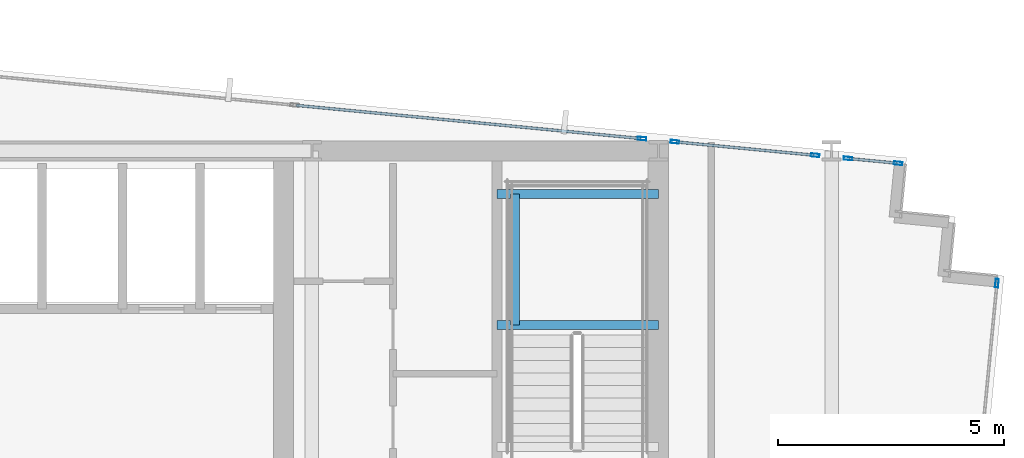
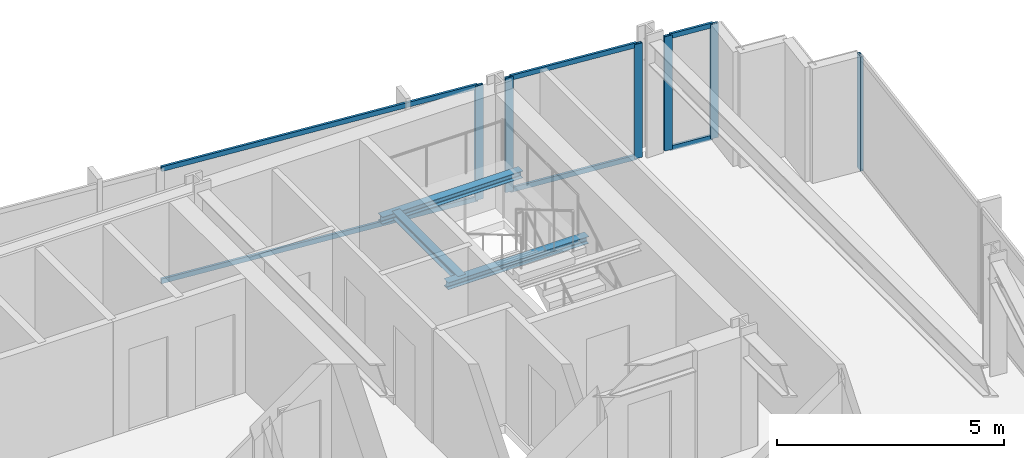
# One storey, part 27 of 37: 12 members, 3 beams, 4 elements without a shape of their own.
"""IFC4 building model written with IfcOpenShell, lengths in metres."""

import ifcopenshell
import ifcopenshell.guid

model = None  # the IFC model being written
_history = None  # IfcOwnerHistory: only IFC2X3 demands one
_inside = {}  # id of a spatial element -> (the spatial element, [elements in it])
_under = {}  # id of a project, library or spatial element -> (it, [spatial elements below it])
_declared = {}  # id of a project -> (the project, [libraries it declares])
_typed = {}  # id of a type object -> (the type object, [elements of that type])
_made_of = {}  # id of a material, layer set ... -> (it, [elements and type objects made of it])


def new_model(schema):
    """Start an empty IFC model of exactly this schema.

    Asked for "IFC4X3", IfcOpenShell would pick the latest addendum, in which some entities
    have other attributes; the version numbers below select the first issue.
    IFC2X3 requires an IfcOwnerHistory on every rooted entity: one is made here for all.
    """
    global model, _history
    if schema == "IFC4X3":
        model = ifcopenshell.file(schema_version=(4, 3, 0, 0))
    else:
        model = ifcopenshell.file(schema=schema)
    _inside.clear()
    _under.clear()
    _declared.clear()
    _typed.clear()
    _made_of.clear()
    _history = None
    if model.schema == "IFC2X3":
        org = make("IfcOrganization", Name="unknown")
        user = make(
            "IfcPersonAndOrganization",
            ThePerson=make("IfcPerson", FamilyName="unknown"),
            TheOrganization=org,
        )
        app = make(
            "IfcApplication",
            ApplicationDeveloper=org,
            Version="unknown",
            ApplicationFullName="unknown",
            ApplicationIdentifier="unknown",
        )
        _history = make(
            "IfcOwnerHistory",
            OwningUser=user,
            OwningApplication=app,
            ChangeAction="ADDED",
            CreationDate=0,
        )
    return model


def make(cls, **values):
    """One entity of the class cls with the attributes given. An attribute that is None is left unset."""
    return model.create_entity(
        cls, **{name: value for name, value in values.items() if value is not None}
    )


def rooted(cls, **values):
    """An entity with a GlobalId (a new one), such as an element, a storey or a relation."""
    return make(cls, GlobalId=ifcopenshell.guid.new(), OwnerHistory=_history, **values)


def si_unit(unit_type, name, prefix=None):
    """IfcSIUnit, for example si_unit("LENGTHUNIT", "METRE", prefix="MILLI")."""
    return make("IfcSIUnit", UnitType=unit_type, Prefix=prefix, Name=name)


def assignment(units):
    """IfcUnitAssignment: the units of a project."""
    return None if units is None else make("IfcUnitAssignment", Units=units)


def point(xyz):
    """IfcCartesianPoint."""
    return None if xyz is None else make("IfcCartesianPoint", Coordinates=xyz)


def direction(xyz):
    """IfcDirection."""
    return None if xyz is None else make("IfcDirection", DirectionRatios=xyz)


def frame(location, z_axis=None, x_axis=None):
    """IfcAxis2Placement3D, a coordinate frame: its origin and axes. An axis left out is left unset."""
    return make(
        "IfcAxis2Placement3D",
        Location=point(location),
        Axis=direction(z_axis),
        RefDirection=direction(x_axis),
    )


def frame_2d(location, x_axis=None):
    """IfcAxis2Placement2D, a coordinate frame in the plane: its origin and x axis."""
    return make(
        "IfcAxis2Placement2D", Location=point(location), RefDirection=direction(x_axis)
    )


def origin():
    """The frame at (0, 0, 0) with its axes left unset."""
    return frame((0.0, 0.0, 0.0))


def origin_2d():
    """The frame at (0, 0) in the plane with its x axis left unset."""
    return frame_2d((0.0, 0.0))


def place(relative_to, where):
    """IfcLocalPlacement: puts the frame where relative to a parent placement (None: the world)."""
    return make(
        "IfcLocalPlacement", PlacementRelTo=relative_to, RelativePlacement=where
    )


def context(
    kind, dimensions, precision=None, world=None, true_north=None, identifier=None
):
    """IfcGeometricRepresentationContext, for example the 3D "Model" context."""
    return make(
        "IfcGeometricRepresentationContext",
        ContextIdentifier=identifier,
        ContextType=kind,
        CoordinateSpaceDimension=dimensions,
        Precision=precision,
        WorldCoordinateSystem=world,
        TrueNorth=true_north,
    )


def subcontext(parent, identifier, kind, view, scale=None):
    """IfcGeometricRepresentationSubContext, for example "Body" below "Model"."""
    return make(
        "IfcGeometricRepresentationSubContext",
        ContextIdentifier=identifier,
        ContextType=kind,
        ParentContext=parent,
        TargetScale=scale,
        TargetView=view,
    )


def project(units=None, contexts=None):
    """IfcProject with its units and contexts."""
    return rooted(
        "IfcProject",
        Name="project",
        RepresentationContexts=contexts,
        UnitsInContext=assignment(units),
    )


def spatial(cls, under=None, at=None, **own):
    """A site, building, storey or space (cls), placed at a placement, below another one or the project."""
    s = rooted(cls, ObjectPlacement=at, **own)
    if under is not None:
        _under.setdefault(under.id(), (under, []))[1].append(s)
    return s


def profile(cls, at=None, kind="AREA", **sizes):
    """A parametric profile (cls). Its sizes go by their IFC names, for example OverallWidth=200.0."""
    return make(cls, ProfileType=kind, Position=at, **sizes)


def hollow_rectangle(**sizes):
    """IfcRectangleHollowProfileDef."""
    return profile("IfcRectangleHollowProfileDef", **sizes)


def i_section(**sizes):
    """IfcIShapeProfileDef."""
    return profile("IfcIShapeProfileDef", **sizes)


def extrude(swept, where, along, depth):
    """IfcExtrudedAreaSolid: the profile swept, set in the frame where, extruded along a direction by depth."""
    return make(
        "IfcExtrudedAreaSolid",
        SweptArea=swept,
        Position=where,
        ExtrudedDirection=direction(along),
        Depth=depth,
    )


def shape(context_of_items, identifier, shape_type, items):
    """IfcShapeRepresentation: the items that make up one representation, for example the "Body"."""
    return make(
        "IfcShapeRepresentation",
        ContextOfItems=context_of_items,
        RepresentationIdentifier=identifier,
        RepresentationType=shape_type,
        Items=items,
    )


def material(Name=None, Category=None):
    """IfcMaterial."""
    return make("IfcMaterial", Name=Name, Category=Category)


def material_profile(
    of_material, cross_section, Name=None, Category=None, Priority=None
):
    """IfcMaterialProfile: a cross section and its material."""
    return make(
        "IfcMaterialProfile",
        Name=Name,
        Material=of_material,
        Profile=cross_section,
        Priority=Priority,
        Category=Category,
    )


def profile_set(profiles, Name=None, composite=None):
    """IfcMaterialProfileSet."""
    return make(
        "IfcMaterialProfileSet",
        Name=Name,
        MaterialProfiles=profiles,
        CompositeProfile=composite,
    )


def made_of(thing, what):
    """Note that an element or type object is made of a material, layer set ...; save() writes the relation."""
    if what is not None:
        _made_of.setdefault(what.id(), (what, []))[1].append(thing)
    return thing


def type_object(cls, material=None, **own):
    """A type object (cls), such as IfcWallType, which elements share."""
    return made_of(rooted(cls, **own), material)


def element(
    cls,
    number,
    at=None,
    inside=None,
    cuts=None,
    type_object=None,
    material=None,
    context=None,
    identifier="Body",
    shape_type=None,
    held_by="IfcProductDefinitionShape",
    body=None,
    shapes=None,
    **own,
):
    """One element of the class cls, such as IfcWall. Its Tag is "e" and its number.

    at: its placement. inside: the storey or other place that contains it. cuts: it is an
    opening in that element (IfcRelVoidsElement). A single representation is given by context,
    identifier, shape_type and body (its items); several are given by shapes. held_by: the class
    of the entity that holds the representations. save() writes the other relations.
    """
    e = rooted(cls, Tag="e%d" % number, ObjectPlacement=at, **own)
    if body is not None:
        shapes = [shape(context, identifier, shape_type, body)]
    if shapes is not None:
        e.Representation = make(held_by, Representations=shapes)
    if inside is not None:
        _inside.setdefault(inside.id(), (inside, []))[1].append(e)
    if cuts is not None:
        rooted(
            "IfcRelVoidsElement", RelatingBuildingElement=cuts, RelatedOpeningElement=e
        )
    if type_object is not None:
        _typed.setdefault(type_object.id(), (type_object, []))[1].append(e)
    return made_of(e, material)


def aggregate(whole, parts):
    """IfcRelAggregates: a whole, such as a stair, and the parts it consists of."""
    return rooted("IfcRelAggregates", RelatingObject=whole, RelatedObjects=parts)


def save(model, path):
    """Write the relations noted so far, then the file.

    IfcRelAggregates (storeys below a building ...), IfcRelContainedInSpatialStructure (elements
    in a storey), IfcRelDefinesByType, IfcRelAssociatesMaterial and IfcRelDeclares: one each for
    every whole, place, type object, material and project.
    """
    for whole, parts in _under.values():
        aggregate(whole, parts)
    for where, things in _inside.values():
        rooted(
            "IfcRelContainedInSpatialStructure",
            RelatedElements=things,
            RelatingStructure=where,
        )
    for kind, things in _typed.values():
        rooted("IfcRelDefinesByType", RelatedObjects=things, RelatingType=kind)
    for what, things in _made_of.values():
        rooted("IfcRelAssociatesMaterial", RelatedObjects=things, RelatingMaterial=what)
    for by, libraries in _declared.values():
        rooted("IfcRelDeclares", RelatingContext=by, RelatedDefinitions=libraries)
    model.write(path)


model = new_model("IFC4")

# Units and contexts
model_context = context("Model", 3, precision=1e-05, world=origin(), true_north=direction((0.0, 1.0)))
body_context = subcontext(model_context, "Body", "Model", "MODEL_VIEW")
ifc_project = project(units=[si_unit("LENGTHUNIT", "METRE"), si_unit("AREAUNIT", "SQUARE_METRE"), si_unit("VOLUMEUNIT", "CUBIC_METRE"), si_unit("PLANEANGLEUNIT", "RADIAN"), si_unit("MASSUNIT", "GRAM", prefix="KILO")], contexts=[model_context])

# Site, building, storey
site_placement = place(None, origin())
site = spatial("IfcSite", under=ifc_project, at=site_placement, CompositionType="ELEMENT")
building_placement = place(site_placement, origin())
building = spatial("IfcBuilding", under=site, at=building_placement, Name="Yelkora Congress Tower", CompositionType="ELEMENT")
storey_placement = place(building_placement, frame((0.0, 0.0, 175.39990234375)))
storey = spatial("IfcBuildingStorey", under=building, at=storey_placement, Name="L48", CompositionType="ELEMENT", Elevation=175.39990234375)

# Beams
ifc_material_1 = material(Name="Steel S355J2", Category="steel")
ifc_material_profile_1 = material_profile(ifc_material_1, i_section(OverallWidth=0.199951171875, OverallDepth=0.18994140625, WebThickness=0.006591796875, FlangeThickness=0.010009765625, FilletRadius=0.01806640625, at=origin_2d()), Name="HEA 200")
ifc_profile_set_1 = profile_set([ifc_material_profile_1], Name="Steel S355J2")
beam_type = type_object("IfcBeamType", Name="BM-LAND-HEA200", PredefinedType="BEAM", material=ifc_profile_set_1)
for number, where, z_axis, x_axis, name in (
    (1, (50.179931640625, 42.340087890625, 1.334716796875), (1.0, 0.0, 0.0), (0.0, 1.0, 0.0), "ST-02 L48 Landing Header Beam 1S"),
    (2, (50.179931640625, 45.25, 1.334716796875), (1.0, 0.0, 0.0), (0.0, 1.0, 0.0), "ST-02 L48 Landing Header Beam 1N"),
):
    element("IfcBeam", number, at=place(storey_placement, frame(where, z_axis=z_axis, x_axis=x_axis)), inside=storey, type_object=beam_type, Name=name, PredefinedType="BEAM", context=body_context, shape_type="SweptSolid", body=[
        extrude(i_section(OverallWidth=0.199951171875, OverallDepth=0.18994140625, WebThickness=0.006591796875, FlangeThickness=0.010009765625, FilletRadius=0.01806640625, at=origin_2d()), origin(), (0.0, 0.0, 1.0), 3.580078125),
    ])
beam_placement = place(storey_placement, frame((50.580078125, 42.340087890625, 1.334716796875), z_axis=(0.0, 1.0, 0.0), x_axis=(-1.0, 0.0, 0.0)))
element("IfcBeam", 3, at=beam_placement, inside=storey, type_object=beam_type, Name="ST-02 L48 Landing Trimmer Beam 1M", PredefinedType="BEAM", context=body_context, shape_type="SweptSolid", body=[
    extrude(i_section(OverallWidth=0.199951171875, OverallDepth=0.18994140625, WebThickness=0.006591796875, FlangeThickness=0.010009765625, FilletRadius=0.01806640625, at=origin_2d()), origin(), (0.0, 0.0, 1.0), 2.909912109375),
])

# Curtain wall, member
ifc_material_2 = material(Name="Anodised aluminium and insulated glass", Category="aluminium")
curtain_wall_type = type_object("IfcCurtainWallType", Name="CW-SYS-B3", PredefinedType="NOTDEFINED", material=ifc_material_2)
curtain_wall_1_placement = place(storey_placement, origin())
curtain_wall_1 = element("IfcCurtainWall", 4, at=curtain_wall_1_placement, inside=storey, type_object=curtain_wall_type, Name="L48 Unitised Curtain Wall 10 (1)", PredefinedType="NOTDEFINED")
ifc_material_3 = material(Name="Anodised aluminium 6063-T6", Category="aluminium")
ifc_material_profile_2 = material_profile(ifc_material_3, hollow_rectangle(XDim=0.070068359375, YDim=0.18994140625, WallThickness=0.00390625, at=origin_2d()), Name="ALU 70x190x4")
ifc_profile_set_2 = profile_set([ifc_material_profile_2], Name="Anodised aluminium 6063-T6")
member_type_1 = type_object("IfcMemberType", Name="MEM-ML-B3", PredefinedType="MULLION", material=ifc_profile_set_2)
member_1_placement = place(storey_placement, frame((53.396240234375, 46.47314453125, 0.0), z_axis=(0.0, 0.0, 1.0), x_axis=(0.095844761168, 0.995396293823, 0.0)))
member_1 = element("IfcMember", 5, at=member_1_placement, type_object=member_type_1, Name="CW-B3 mullion 7", PredefinedType="MULLION", context=body_context, shape_type="SweptSolid", body=[
    extrude(hollow_rectangle(XDim=0.070068359375, YDim=0.18994140625, WallThickness=0.00390625, at=origin_2d()), origin(), (0.0, 0.0, 1.0), 3.080078125),
])

# Curtain wall, members
curtain_wall_2_placement = place(storey_placement, origin())
curtain_wall_2 = element("IfcCurtainWall", 6, at=curtain_wall_2_placement, inside=storey, type_object=curtain_wall_type, Name="L48 Unitised Curtain Wall 10 (2)", PredefinedType="NOTDEFINED")
member_2_placement = place(storey_placement, frame((54.123779296875, 46.40283203125, 0.0), z_axis=(0.0, 0.0, 1.0), x_axis=(0.095848309157, 0.995395952188, 0.0)))
member_2 = element("IfcMember", 7, at=member_2_placement, type_object=member_type_1, Name="CW-B3 mullion 1", PredefinedType="MULLION", context=body_context, shape_type="SweptSolid", body=[
    extrude(hollow_rectangle(XDim=0.070068359375, YDim=0.18994140625, WallThickness=0.00390625, at=origin_2d()), origin(), (0.0, 0.0, 1.0), 3.080078125),
])
member_3_placement = place(storey_placement, frame((57.236083984375, 46.103271484375, 0.0), z_axis=(0.0, 0.0, 1.0), x_axis=(0.095848309157, 0.995395952188, 0.0)))
member_3 = element("IfcMember", 8, at=member_3_placement, type_object=member_type_1, Name="CW-B3 mullion 2", PredefinedType="MULLION", context=body_context, shape_type="SweptSolid", body=[
    extrude(hollow_rectangle(XDim=0.070068359375, YDim=0.18994140625, WallThickness=0.00390625, at=origin_2d()), origin(), (0.0, 0.0, 1.0), 3.080078125),
])

curtain_wall_3_placement = place(storey_placement, origin())
curtain_wall_3 = element("IfcCurtainWall", 9, at=curtain_wall_3_placement, inside=storey, type_object=curtain_wall_type, Name="L48 Unitised Curtain Wall 10 (3)", PredefinedType="NOTDEFINED")
member_4_placement = place(storey_placement, frame((57.9638671875, 46.033203125, 0.0), z_axis=(0.0, 0.0, 1.0), x_axis=(0.095852281686, 0.995395569658, 0.0)))
member_4 = element("IfcMember", 10, at=member_4_placement, type_object=member_type_1, Name="CW-B3 mullion 1", PredefinedType="MULLION", context=body_context, shape_type="SweptSolid", body=[
    extrude(hollow_rectangle(XDim=0.070068359375, YDim=0.18994140625, WallThickness=0.00390625, at=origin_2d()), origin(), (0.0, 0.0, 1.0), 3.080078125),
])
member_5_placement = place(storey_placement, frame((59.073974609375, 45.92626953125, 0.0), z_axis=(0.0, 0.0, 1.0), x_axis=(0.095852281686, 0.995395569658, 0.0)))
member_5 = element("IfcMember", 11, at=member_5_placement, type_object=member_type_1, Name="CW-B3 mullion 2", PredefinedType="MULLION", context=body_context, shape_type="SweptSolid", body=[
    extrude(hollow_rectangle(XDim=0.070068359375, YDim=0.18994140625, WallThickness=0.00390625, at=origin_2d()), origin(), (0.0, 0.0, 1.0), 3.080078125),
])

# Curtain wall, member
curtain_wall_4_placement = place(storey_placement, origin())
curtain_wall_4 = element("IfcCurtainWall", 12, at=curtain_wall_4_placement, inside=storey, type_object=curtain_wall_type, Name="L48 Unitised Curtain Wall 15", PredefinedType="NOTDEFINED")
member_6_placement = place(storey_placement, frame((61.26416015625, 43.26904296875, 0.0), z_axis=(0.0, 0.0, 1.0), x_axis=(0.995396565076, -0.095841944023, 0.0)))
member_6 = element("IfcMember", 13, at=member_6_placement, type_object=member_type_1, Name="CW-B3 mullion 1", PredefinedType="MULLION", context=body_context, shape_type="SweptSolid", body=[
    extrude(hollow_rectangle(XDim=0.070068359375, YDim=0.18994140625, WallThickness=0.00390625, at=origin_2d()), origin(), (0.0, 0.0, 1.0), 3.080078125),
])
aggregate(curtain_wall_4, [member_6])

# Member
ifc_material_profile_3 = material_profile(ifc_material_3, hollow_rectangle(XDim=0.06005859375, YDim=0.1298828125, WallThickness=0.00390625, at=origin_2d()), Name="ALU 60x130x4")
ifc_profile_set_3 = profile_set([ifc_material_profile_3], Name="Anodised aluminium 6063-T6")
member_type_2 = type_object("IfcMemberType", Name="MEM-TR-B3", PredefinedType="USERDEFINED", material=ifc_profile_set_3)
member_7_placement = place(storey_placement, frame((45.732177734375, 47.2109375, 0.030029296875), z_axis=(0.99539600529, -0.095847757686, 0.0), x_axis=(0.095847757686, 0.99539600529, 0.0)))
member_7 = element("IfcMember", 14, at=member_7_placement, type_object=member_type_2, Name="CW-B3 transom 6.1", ObjectType="TRANSOM", PredefinedType="USERDEFINED", context=body_context, shape_type="SweptSolid", body=[
    extrude(hollow_rectangle(XDim=0.06005859375, YDim=0.1298828125, WallThickness=0.00390625, at=origin_2d()), origin(), (0.0, 0.0, 1.0), 7.66455078125),
])

member_8_placement = place(storey_placement, frame((45.732177734375, 47.2109375, 3.050048828125), z_axis=(0.99539600529, -0.095847757686, 0.0), x_axis=(0.095847757686, 0.99539600529, 0.0)))
member_8 = element("IfcMember", 15, at=member_8_placement, type_object=member_type_2, Name="CW-B3 transom 6.2", ObjectType="TRANSOM", PredefinedType="USERDEFINED", context=body_context, shape_type="SweptSolid", body=[
    extrude(hollow_rectangle(XDim=0.06005859375, YDim=0.1298828125, WallThickness=0.00390625, at=origin_2d()), origin(), (0.0, 0.0, 1.0), 7.66455078125),
])

aggregate(curtain_wall_1, [member_1, member_7, member_8])

member_9_placement = place(storey_placement, frame((54.15869140625, 46.399658203125, 0.030029296875), z_axis=(0.995396582455, -0.095841763536, 0.0), x_axis=(0.095841763536, 0.995396582455, 0.0)))
member_9 = element("IfcMember", 16, at=member_9_placement, type_object=member_type_2, Name="CW-B3 transom 1.1", ObjectType="TRANSOM", PredefinedType="USERDEFINED", context=body_context, shape_type="SweptSolid", body=[
    extrude(hollow_rectangle(XDim=0.06005859375, YDim=0.1298828125, WallThickness=0.00390625, at=origin_2d()), origin(), (0.0, 0.0, 1.0), 3.056884765625),
])

member_10_placement = place(storey_placement, frame((54.15869140625, 46.399658203125, 3.050048828125), z_axis=(0.995396582455, -0.095841763536, 0.0), x_axis=(0.095841763536, 0.995396582455, 0.0)))
member_10 = element("IfcMember", 17, at=member_10_placement, type_object=member_type_2, Name="CW-B3 transom 1.2", ObjectType="TRANSOM", PredefinedType="USERDEFINED", context=body_context, shape_type="SweptSolid", body=[
    extrude(hollow_rectangle(XDim=0.06005859375, YDim=0.1298828125, WallThickness=0.00390625, at=origin_2d()), origin(), (0.0, 0.0, 1.0), 3.056884765625),
])

aggregate(curtain_wall_2, [member_2, member_3, member_9, member_10])

member_11_placement = place(storey_placement, frame((57.998779296875, 46.02978515625, 0.030029296875), z_axis=(0.995402606714, -0.095779175957, 0.0), x_axis=(0.095779175957, 0.995402606714, 0.0)))
member_11 = element("IfcMember", 18, at=member_11_placement, type_object=member_type_2, Name="CW-B3 transom 1.1", ObjectType="TRANSOM", PredefinedType="USERDEFINED", context=body_context, shape_type="SweptSolid", body=[
    extrude(hollow_rectangle(XDim=0.06005859375, YDim=0.1298828125, WallThickness=0.00390625, at=origin_2d()), origin(), (0.0, 0.0, 1.0), 1.045166015625),
])

member_12_placement = place(storey_placement, frame((57.998779296875, 46.02978515625, 3.050048828125), z_axis=(0.995402606714, -0.095779175957, 0.0), x_axis=(0.095779175957, 0.995402606714, 0.0)))
member_12 = element("IfcMember", 19, at=member_12_placement, type_object=member_type_2, Name="CW-B3 transom 1.2", ObjectType="TRANSOM", PredefinedType="USERDEFINED", context=body_context, shape_type="SweptSolid", body=[
    extrude(hollow_rectangle(XDim=0.06005859375, YDim=0.1298828125, WallThickness=0.00390625, at=origin_2d()), origin(), (0.0, 0.0, 1.0), 1.045166015625),
])

aggregate(curtain_wall_3, [member_4, member_5, member_11, member_12])

save(model, "model.ifc")
